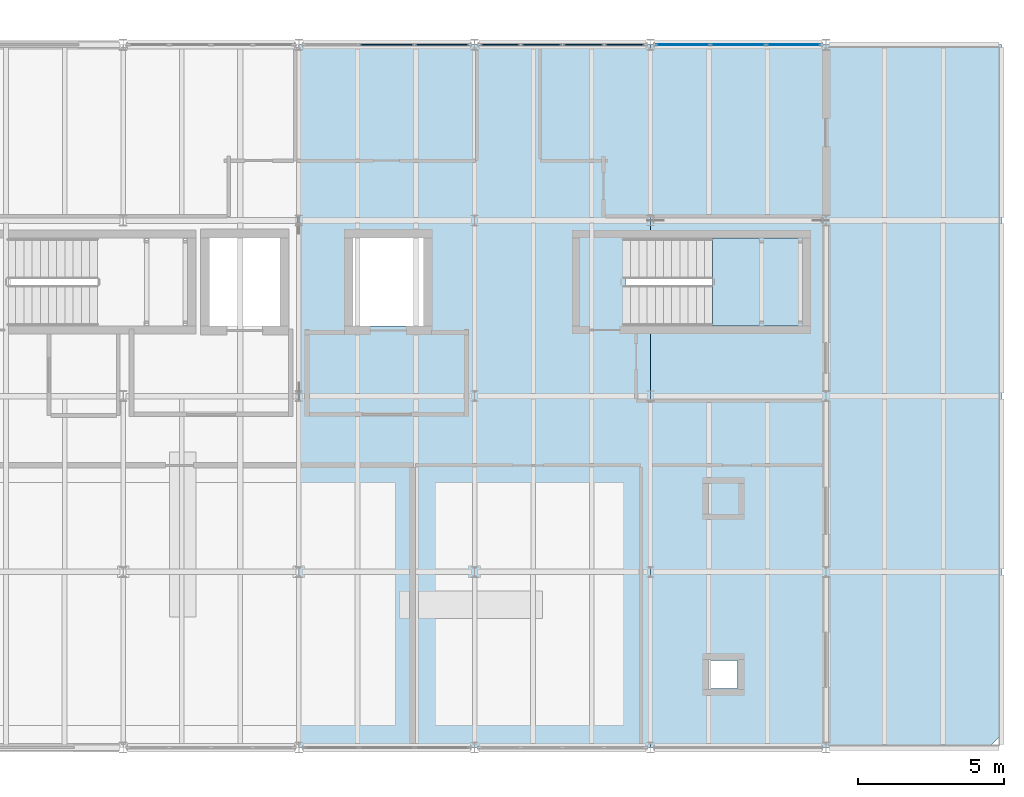
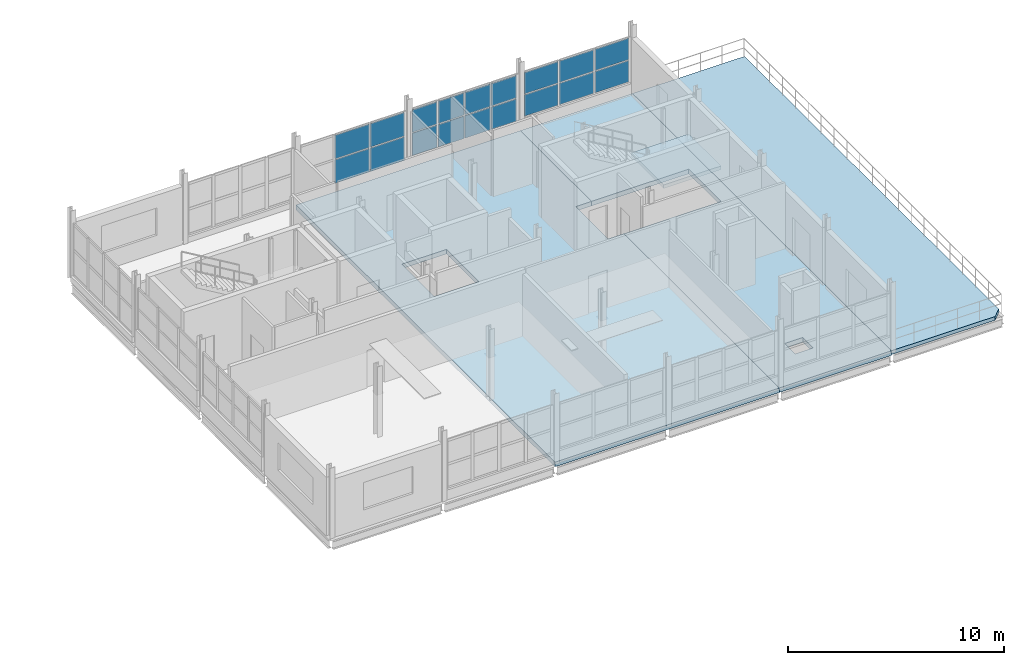
# One storey, part 14 of 23: 18 plates, 4 slabs, 4 elements without a shape of their own.
"""IFC4 building model written with IfcOpenShell, lengths in metres."""

from ifc_helpers import new_model, si_unit, direction, frame, origin, origin_2d, place, context, subcontext, project, spatial, polyline, rectangle, outline, extrude, material, layer, layer_set, type_object, element, aggregate, save


model = new_model("IFC4")

# Units and contexts
model_context = context("Model", 3, precision=1e-05, world=origin(), true_north=direction((0.0, 1.0)))
body_context = subcontext(model_context, "Body", "Model", "MODEL_VIEW")
ifc_project = project(units=[si_unit("LENGTHUNIT", "METRE"), si_unit("AREAUNIT", "SQUARE_METRE"), si_unit("VOLUMEUNIT", "CUBIC_METRE"), si_unit("PLANEANGLEUNIT", "RADIAN"), si_unit("MASSUNIT", "GRAM", prefix="KILO")], contexts=[model_context])

# Site, building, storey
site_placement = place(None, origin())
site = spatial("IfcSite", under=ifc_project, at=site_placement, CompositionType="ELEMENT")
building_placement = place(site_placement, origin())
building = spatial("IfcBuilding", under=site, at=building_placement, Name="Siltcreek Boulevard Central Fire Station", CompositionType="ELEMENT")
storey_placement = place(building_placement, frame((0.0, 0.0, 14.0)))
storey = spatial("IfcBuildingStorey", under=building, at=storey_placement, Name="L04", CompositionType="ELEMENT", Elevation=14.0)

# Curtain wall, plates
ifc_material_1 = material(Name="Anodized aluminum and low-E insulated glazing", Category="aluminium")
curtain_wall_type_1 = type_object("IfcCurtainWallType", Name="CW_SYS_22", PredefinedType="USERDEFINED", material=ifc_material_1)
curtain_wall_1_placement = place(storey_placement, origin())
curtain_wall_1 = element("IfcCurtainWall", 1, at=curtain_wall_1_placement, inside=storey, type_object=curtain_wall_type_1, Name="L04 V5 unitised curtain wall CW-171", ObjectType="CURTAIN WALL", PredefinedType="USERDEFINED")
ifc_material_2 = material(Name="Low-E double insulated glass unit", Category="glass")
ifc_layer_1 = layer(ifc_material_2, 0.028076171875, Name="Low-E double insulated glass unit")
ifc_layer_set_1 = layer_set([ifc_layer_1], Name="Low-E double insulated glass unit")
plate_type_1 = type_object("IfcPlateType", Name="CWP_GLZ_1", PredefinedType="CURTAIN_PANEL", material=ifc_layer_set_1)
plate_1_placement = place(storey_placement, frame((153.08837890625, 112.199951171875, 0.739990234375), z_axis=(0.0, 0.0, 1.0), x_axis=(-1.0, 0.0, 0.0)))
plate_1 = element("IfcPlate", 2, at=plate_1_placement, type_object=plate_type_1, Name="CW-171 panel 1.1", PredefinedType="CURTAIN_PANEL", context=body_context, shape_type="SweptSolid", body=[
    extrude(rectangle(XDim=1.813232421875, YDim=0.028076171875, at=origin_2d()), origin(), (0.0, 0.0, 1.0), 1.20458984375),
])
plate_2_placement = place(storey_placement, frame((153.08837890625, 112.199951171875, 2.00439453125), z_axis=(0.0, 0.0, 1.0), x_axis=(-1.0, 0.0, 0.0)))
plate_2 = element("IfcPlate", 3, at=plate_2_placement, type_object=plate_type_1, Name="CW-171 panel 1.2", PredefinedType="CURTAIN_PANEL", context=body_context, shape_type="SweptSolid", body=[
    extrude(rectangle(XDim=1.813232421875, YDim=0.028076171875, at=origin_2d()), origin(), (0.0, 0.0, 1.0), 1.20458984375),
])
plate_3_placement = place(storey_placement, frame((151.199951171875, 112.199951171875, 0.739990234375), z_axis=(0.0, 0.0, 1.0), x_axis=(-1.0, 0.0, 0.0)))
plate_3 = element("IfcPlate", 4, at=plate_3_placement, type_object=plate_type_1, Name="CW-171 panel 2.1", PredefinedType="CURTAIN_PANEL", context=body_context, shape_type="SweptSolid", body=[
    extrude(rectangle(XDim=1.84326171875, YDim=0.028076171875, at=origin_2d()), origin(), (0.0, 0.0, 1.0), 1.20458984375),
])
plate_4_placement = place(storey_placement, frame((151.199951171875, 112.199951171875, 2.00439453125), z_axis=(0.0, 0.0, 1.0), x_axis=(-1.0, 0.0, 0.0)))
plate_4 = element("IfcPlate", 5, at=plate_4_placement, type_object=plate_type_1, Name="CW-171 panel 2.2", PredefinedType="CURTAIN_PANEL", context=body_context, shape_type="SweptSolid", body=[
    extrude(rectangle(XDim=1.84326171875, YDim=0.028076171875, at=origin_2d()), origin(), (0.0, 0.0, 1.0), 1.20458984375),
])
plate_5_placement = place(storey_placement, frame((149.311767578125, 112.199951171875, 0.739990234375), z_axis=(0.0, 0.0, 1.0), x_axis=(-1.0, 0.0, 0.0)))
plate_5 = element("IfcPlate", 6, at=plate_5_placement, type_object=plate_type_1, Name="CW-171 panel 3.1", PredefinedType="CURTAIN_PANEL", context=body_context, shape_type="SweptSolid", body=[
    extrude(rectangle(XDim=1.813232421875, YDim=0.028076171875, at=origin_2d()), origin(), (0.0, 0.0, 1.0), 1.20458984375),
])
plate_6_placement = place(storey_placement, frame((149.311767578125, 112.199951171875, 2.00439453125), z_axis=(0.0, 0.0, 1.0), x_axis=(-1.0, 0.0, 0.0)))
plate_6 = element("IfcPlate", 7, at=plate_6_placement, type_object=plate_type_1, Name="CW-171 panel 3.2", PredefinedType="CURTAIN_PANEL", context=body_context, shape_type="SweptSolid", body=[
    extrude(rectangle(XDim=1.813232421875, YDim=0.028076171875, at=origin_2d()), origin(), (0.0, 0.0, 1.0), 1.20458984375),
])
aggregate(curtain_wall_1, [plate_1, plate_2, plate_3, plate_4, plate_5, plate_6])

curtain_wall_type_2 = type_object("IfcCurtainWallType", Name="CW_SYS_20", PredefinedType="USERDEFINED", material=ifc_material_1)
curtain_wall_2_placement = place(storey_placement, origin())
curtain_wall_2 = element("IfcCurtainWall", 8, at=curtain_wall_2_placement, inside=storey, type_object=curtain_wall_type_2, Name="L04 V5 unitised curtain wall CW-169", ObjectType="CURTAIN WALL", PredefinedType="USERDEFINED")
ifc_layer_2 = layer(ifc_material_2, 0.0380859375, Name="Low-E double insulated glass unit")
ifc_layer_set_2 = layer_set([ifc_layer_2], Name="Low-E double insulated glass unit")
plate_type_2 = type_object("IfcPlateType", Name="CWP_GLZ_2", PredefinedType="CURTAIN_PANEL", material=ifc_layer_set_2)
plate_7_placement = place(storey_placement, frame((141.08837890625, 112.199951171875, 0.5), z_axis=(0.0, 0.0, 1.0), x_axis=(-1.0, 0.0, 0.0)))
plate_7 = element("IfcPlate", 9, at=plate_7_placement, type_object=plate_type_2, Name="CW-169 panel 1.1", PredefinedType="CURTAIN_PANEL", context=body_context, shape_type="SweptSolid", body=[
    extrude(rectangle(XDim=1.813232421875, YDim=0.0380859375, at=origin_2d()), origin(), (0.0, 0.0, 1.0), 1.324462890625),
])
plate_8_placement = place(storey_placement, frame((141.08837890625, 112.199951171875, 1.88427734375), z_axis=(0.0, 0.0, 1.0), x_axis=(-1.0, 0.0, 0.0)))
plate_8 = element("IfcPlate", 10, at=plate_8_placement, type_object=plate_type_2, Name="CW-169 panel 1.2", PredefinedType="CURTAIN_PANEL", context=body_context, shape_type="SweptSolid", body=[
    extrude(rectangle(XDim=1.813232421875, YDim=0.0380859375, at=origin_2d()), origin(), (0.0, 0.0, 1.0), 1.324462890625),
])
plate_9_placement = place(storey_placement, frame((139.199951171875, 112.199951171875, 0.5), z_axis=(0.0, 0.0, 1.0), x_axis=(-1.0, 0.0, 0.0)))
plate_9 = element("IfcPlate", 11, at=plate_9_placement, type_object=plate_type_2, Name="CW-169 panel 2.1", PredefinedType="CURTAIN_PANEL", context=body_context, shape_type="SweptSolid", body=[
    extrude(rectangle(XDim=1.84326171875, YDim=0.0380859375, at=origin_2d()), origin(), (0.0, 0.0, 1.0), 1.324462890625),
])
plate_10_placement = place(storey_placement, frame((139.199951171875, 112.199951171875, 1.88427734375), z_axis=(0.0, 0.0, 1.0), x_axis=(-1.0, 0.0, 0.0)))
plate_10 = element("IfcPlate", 12, at=plate_10_placement, type_object=plate_type_2, Name="CW-169 panel 2.2", PredefinedType="CURTAIN_PANEL", context=body_context, shape_type="SweptSolid", body=[
    extrude(rectangle(XDim=1.84326171875, YDim=0.0380859375, at=origin_2d()), origin(), (0.0, 0.0, 1.0), 1.324462890625),
])
aggregate(curtain_wall_2, [plate_7, plate_8, plate_9, plate_10])

curtain_wall_type_3 = type_object("IfcCurtainWallType", Name="CW_SYS_21", PredefinedType="USERDEFINED", material=ifc_material_1)
curtain_wall_3_placement = place(storey_placement, origin())
curtain_wall_3 = element("IfcCurtainWall", 13, at=curtain_wall_3_placement, inside=storey, type_object=curtain_wall_type_3, Name="L04 V5 unitised curtain wall CW-170", ObjectType="CURTAIN WALL", PredefinedType="USERDEFINED")
ifc_layer_3 = layer(ifc_material_2, 0.048095703125, Name="Low-E double insulated glass unit")
ifc_layer_set_3 = layer_set([ifc_layer_3], Name="Low-E double insulated glass unit")
plate_type_3 = type_object("IfcPlateType", Name="CWP_GLZ_3", PredefinedType="CURTAIN_PANEL", material=ifc_layer_set_3)
plate_11_placement = place(storey_placement, frame((147.324951171875, 112.199951171875, 0.625), z_axis=(0.0, 0.0, 1.0), x_axis=(-1.0, 0.0, 0.0)))
plate_11 = element("IfcPlate", 14, at=plate_11_placement, type_object=plate_type_3, Name="CW-170 panel 1.1", PredefinedType="CURTAIN_PANEL", context=body_context, shape_type="SweptSolid", body=[
    extrude(rectangle(XDim=1.330078125, YDim=0.048095703125, at=origin_2d()), origin(), (0.0, 0.0, 1.0), 1.257080078125),
])
plate_12_placement = place(storey_placement, frame((147.324951171875, 112.199951171875, 1.94677734375), z_axis=(0.0, 0.0, 1.0), x_axis=(-1.0, 0.0, 0.0)))
plate_12 = element("IfcPlate", 15, at=plate_12_placement, type_object=plate_type_3, Name="CW-170 panel 1.2", PredefinedType="CURTAIN_PANEL", context=body_context, shape_type="SweptSolid", body=[
    extrude(rectangle(XDim=1.330078125, YDim=0.048095703125, at=origin_2d()), origin(), (0.0, 0.0, 1.0), 1.257080078125),
])
plate_13_placement = place(storey_placement, frame((145.913818359375, 112.199951171875, 0.625), z_axis=(0.0, 0.0, 1.0), x_axis=(-1.0, 0.0, 0.0)))
plate_13 = element("IfcPlate", 16, at=plate_13_placement, type_object=plate_type_3, Name="CW-170 panel 2.1", PredefinedType="CURTAIN_PANEL", context=body_context, shape_type="SweptSolid", body=[
    extrude(rectangle(XDim=1.362548828125, YDim=0.048095703125, at=origin_2d()), origin(), (0.0, 0.0, 1.0), 1.257080078125),
])
plate_14_placement = place(storey_placement, frame((145.913818359375, 112.199951171875, 1.94677734375), z_axis=(0.0, 0.0, 1.0), x_axis=(-1.0, 0.0, 0.0)))
plate_14 = element("IfcPlate", 17, at=plate_14_placement, type_object=plate_type_3, Name="CW-170 panel 2.2", PredefinedType="CURTAIN_PANEL", context=body_context, shape_type="SweptSolid", body=[
    extrude(rectangle(XDim=1.362548828125, YDim=0.048095703125, at=origin_2d()), origin(), (0.0, 0.0, 1.0), 1.257080078125),
])
plate_15_placement = place(storey_placement, frame((144.486328125, 112.199951171875, 0.625), z_axis=(0.0, 0.0, 1.0), x_axis=(-1.0, 0.0, 0.0)))
plate_15 = element("IfcPlate", 18, at=plate_15_placement, type_object=plate_type_3, Name="CW-170 panel 3.1", PredefinedType="CURTAIN_PANEL", context=body_context, shape_type="SweptSolid", body=[
    extrude(rectangle(XDim=1.362548828125, YDim=0.048095703125, at=origin_2d()), origin(), (0.0, 0.0, 1.0), 1.257080078125),
])
plate_16_placement = place(storey_placement, frame((144.486328125, 112.199951171875, 1.94677734375), z_axis=(0.0, 0.0, 1.0), x_axis=(-1.0, 0.0, 0.0)))
plate_16 = element("IfcPlate", 19, at=plate_16_placement, type_object=plate_type_3, Name="CW-170 panel 3.2", PredefinedType="CURTAIN_PANEL", context=body_context, shape_type="SweptSolid", body=[
    extrude(rectangle(XDim=1.362548828125, YDim=0.048095703125, at=origin_2d()), origin(), (0.0, 0.0, 1.0), 1.257080078125),
])
plate_17_placement = place(storey_placement, frame((143.074951171875, 112.199951171875, 0.625), z_axis=(0.0, 0.0, 1.0), x_axis=(-1.0, 0.0, 0.0)))
plate_17 = element("IfcPlate", 20, at=plate_17_placement, type_object=plate_type_3, Name="CW-170 panel 4.1", PredefinedType="CURTAIN_PANEL", context=body_context, shape_type="SweptSolid", body=[
    extrude(rectangle(XDim=1.330078125, YDim=0.048095703125, at=origin_2d()), origin(), (0.0, 0.0, 1.0), 1.257080078125),
])
plate_18_placement = place(storey_placement, frame((143.074951171875, 112.199951171875, 1.94677734375), z_axis=(0.0, 0.0, 1.0), x_axis=(-1.0, 0.0, 0.0)))
plate_18 = element("IfcPlate", 21, at=plate_18_placement, type_object=plate_type_3, Name="CW-170 panel 4.2", PredefinedType="CURTAIN_PANEL", context=body_context, shape_type="SweptSolid", body=[
    extrude(rectangle(XDim=1.330078125, YDim=0.048095703125, at=origin_2d()), origin(), (0.0, 0.0, 1.0), 1.257080078125),
])
aggregate(curtain_wall_3, [plate_11, plate_12, plate_13, plate_14, plate_15, plate_16, plate_17, plate_18])

# Slabs
ifc_material_3 = material(Name="Concrete C35/45", Category="concrete")
ifc_layer_4 = layer(ifc_material_3, 0.260009765625, Name="Concrete C35/45")
ifc_layer_set_4 = layer_set([ifc_layer_4], Name="Concrete C35/45")
slab_type_1 = type_object("IfcSlabType", Name="SL_FLR260", PredefinedType="FLOOR", material=ifc_layer_set_4)
slab_1_placement = place(storey_placement, frame((0.0, 0.0, -0.260009765625)))
element("IfcSlab", 22, at=slab_1_placement, inside=storey, type_object=slab_type_1, Name="L04 V5 structural floor slab SL-049", PredefinedType="FLOOR", context=body_context, shape_type="SweptSolid", body=[
    extrude(outline(polyline([(148.199951171875, 88.199951171875), (136.199951171875, 88.199951171875), (136.199951171875, 112.199951171875), (148.199951171875, 112.199951171875), (148.199951171875, 105.60009765625), (147.360107421875, 105.60009765625), (147.360107421875, 102.60009765625), (148.199951171875, 102.60009765625), (148.199951171875, 88.199951171875)]), holes=[polyline([(140.449951171875, 105.60009765625), (138.050048828125, 105.60009765625), (138.050048828125, 102.60009765625), (140.449951171875, 102.60009765625), (140.449951171875, 105.60009765625)])]), origin(), (0.0, 0.0, 1.0), 0.260009765625),
])
slab_2_placement = place(storey_placement, frame((0.0, 0.0, -0.260009765625)))
element("IfcSlab", 23, at=slab_2_placement, inside=storey, type_object=slab_type_1, Name="L04 V5 structural floor slab SL-050", PredefinedType="FLOOR", context=body_context, shape_type="SweptSolid", body=[
    extrude(outline(polyline([(154.199951171875, 112.199951171875), (154.199951171875, 88.199951171875), (148.199951171875, 88.199951171875), (148.199951171875, 102.60009765625), (153.39990234375, 102.60009765625), (153.39990234375, 105.60009765625), (148.199951171875, 105.60009765625), (148.199951171875, 112.199951171875), (154.199951171875, 112.199951171875)]), holes=[polyline([(151.179931640625, 91.179931640625), (150.219970703125, 91.179931640625), (150.219970703125, 90.219970703125), (151.179931640625, 90.219970703125), (151.179931640625, 91.179931640625)])]), origin(), (0.0, 0.0, 1.0), 0.260009765625),
])

# Stair, slab
ifc_material_4 = material(Name="Precast concrete C40/50", Category="concrete")
stair_type = type_object("IfcStairType", Name="ST_DOG_H40", PredefinedType="HALF_TURN_STAIR", material=ifc_material_4)
stair_placement = place(storey_placement, origin())
stair = element("IfcStair", 24, at=stair_placement, inside=storey, type_object=stair_type, Name="L04 Enclosed exit stairway ST-V5B", PredefinedType="HALF_TURN_STAIR")
ifc_layer_5 = layer(ifc_material_4, 0.199951171875, Name="Precast concrete C40/50")
ifc_layer_set_5 = layer_set([ifc_layer_5], Name="Precast concrete C40/50")
slab_type_2 = type_object("IfcSlabType", Name="SL_LAND200", PredefinedType="LANDING", material=ifc_layer_set_5)
slab_3_placement = place(storey_placement, frame((0.0, 0.0, 1.800048828125)))
slab_3 = element("IfcSlab", 25, at=slab_3_placement, type_object=slab_type_2, Name="ST-V5B landing 1", PredefinedType="LANDING", context=body_context, shape_type="SweptSolid", body=[
    extrude(outline(polyline([(150.330078125, 102.60009765625), (153.39990234375, 102.60009765625), (153.39990234375, 105.60009765625), (150.330078125, 105.60009765625), (150.330078125, 102.60009765625)])), origin(), (0.0, 0.0, 1.0), 0.199951171875),
])
aggregate(stair, [slab_3])

# Slab
ifc_layer_6 = layer(ifc_material_3, 0.2099609375, Name="Concrete C35/45")
ifc_layer_set_6 = layer_set([ifc_layer_6], Name="Concrete C35/45")
slab_type_3 = type_object("IfcSlabType", Name="SL_TER210", PredefinedType="FLOOR", material=ifc_layer_set_6)
slab_4_placement = place(storey_placement, frame((0.0, 0.0, -0.2099609375)))
element("IfcSlab", 26, at=slab_4_placement, inside=storey, type_object=slab_type_3, Name="L04 V5 outdoor crew terrace slab TR-051", PredefinedType="FLOOR", context=body_context, shape_type="SweptSolid", body=[
    extrude(outline(polyline([(154.199951171875, 88.199951171875), (159.75, 88.199951171875), (160.199951171875, 88.64990234375), (160.199951171875, 112.199951171875), (154.199951171875, 112.199951171875), (154.199951171875, 88.199951171875)])), origin(), (0.0, 0.0, 1.0), 0.2099609375),
])

save(model, "model.ifc")
